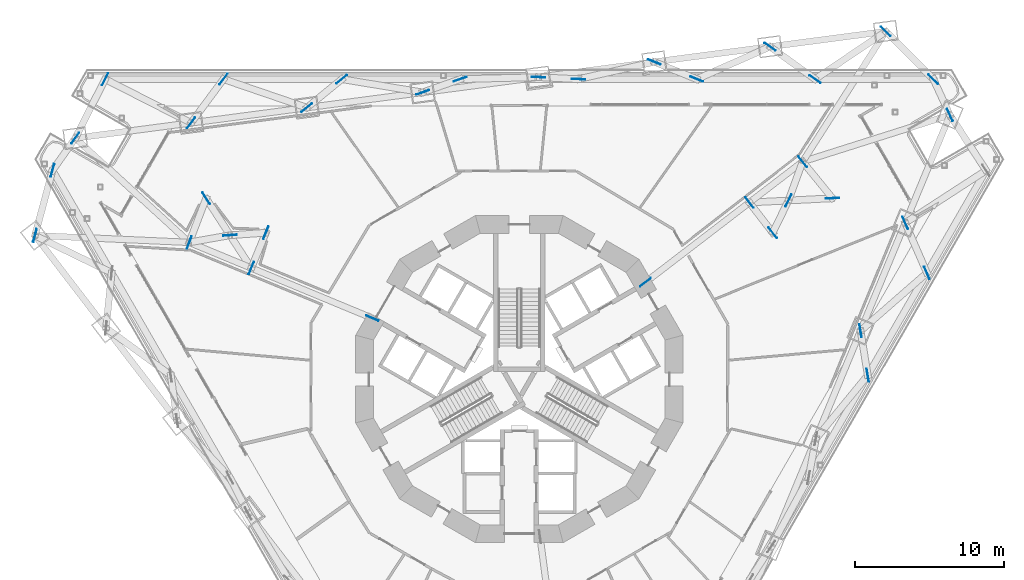
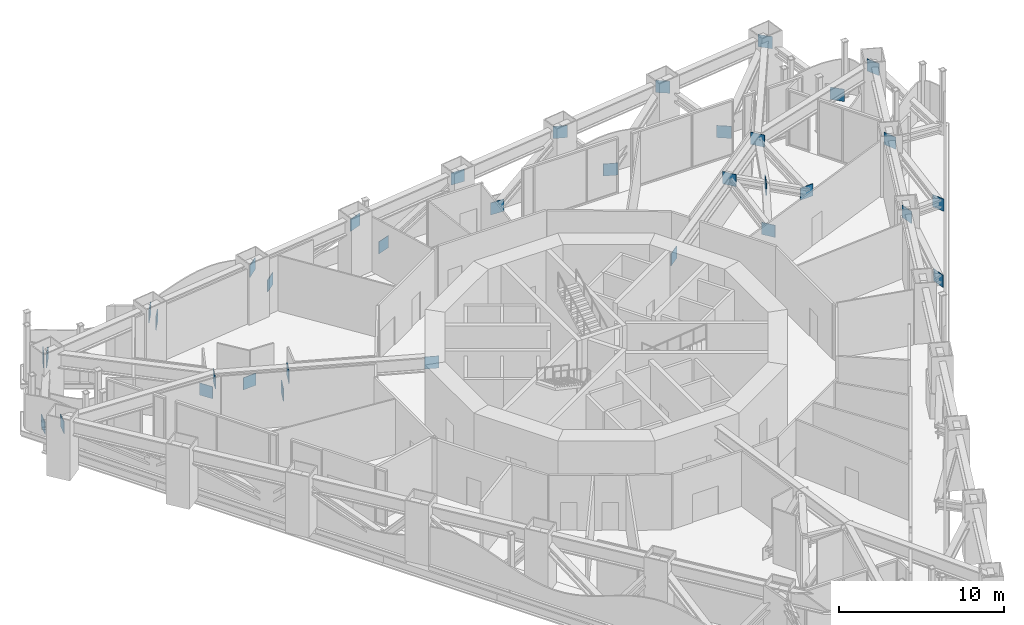
# One storey, part 18 of 28: 35 discrete accessories.
"""IFC4 building model written with IfcOpenShell, lengths in metres."""

from ifc_helpers import new_model, si_unit, direction, frame, origin, origin_2d, place, context, subcontext, project, spatial, rectangle, extrude, material, element, save


model = new_model("IFC4")

# Units and contexts
model_context = context("Model", 3, precision=1e-05, world=origin(), true_north=direction((0.0, 1.0)))
body_context = subcontext(model_context, "Body", "Model", "MODEL_VIEW")
ifc_project = project(units=[si_unit("LENGTHUNIT", "METRE"), si_unit("AREAUNIT", "SQUARE_METRE"), si_unit("VOLUMEUNIT", "CUBIC_METRE"), si_unit("PLANEANGLEUNIT", "RADIAN"), si_unit("MASSUNIT", "GRAM", prefix="KILO")], contexts=[model_context])

# Site, building, storey
site_placement = place(None, origin())
site = spatial("IfcSite", under=ifc_project, at=site_placement, CompositionType="ELEMENT")
building_placement = place(site_placement, origin())
building = spatial("IfcBuilding", under=site, at=building_placement, Name="Trine Commons Tower", CompositionType="ELEMENT")
storey_placement = place(building_placement, frame((0.0, 0.0, 45.89990234375)))
storey = spatial("IfcBuildingStorey", under=building, at=storey_placement, Name="L10", CompositionType="ELEMENT", Elevation=45.89990234375)

# Discrete accessories
ifc_material = material(Name="Structural steel ASTM A572 Gr50", Category="steel")
for number, where, z_axis, x_axis, name in (
    (1, (48.583740234375, 76.54541015625, 0.07080078125), (0.0, 0.0, 1.0), (-0.260234887669, -0.965545339816, 0.0), "Gusset plate GP1-01"),
    (2, (52.128173828125, 82.6845703125, 0.07080078125), (0.0, 0.0, 1.0), (-0.452092250299, -0.891971186317, 0.0), "Gusset plate GP1-02"),
    (3, (58.9228515625, 74.6689453125, 0.07080078125), (0.0, 0.0, 1.0), (0.543364939672, -0.83949660055, 0.0), "Gusset plate GP1-05"),
    (4, (60.091552734375, 82.6845703125, 0.07080078125), (0.0, 0.0, 1.0), (-0.59553807841, -0.803327079814, 0.0), "Gusset plate GP1-06"),
    (5, (62.94189453125, 72.348388671875, 0.07080078125), (0.0, 0.0, 1.0), (-0.380473251157, -0.924791925329, 0.0), "Gusset plate GP1-08"),
    (6, (68.054931640625, 82.6845703125, 0.07080078125), (0.0, 0.0, 1.0), (-0.775076843614, -0.63186698481, 0.0), "Gusset plate GP1-10"),
    (7, (76.018310546875, 82.6845703125, 0.07080078125), (0.0, 0.0, 1.0), (-0.942821960002, -0.333296792272, 0.0), "Gusset plate GP1-13"),
    (8, (83.981689453125, 82.6845703125, 0.07080078125), (0.0, 0.0, 1.0), (-0.998758784752, 0.049808532204, 0.0), "Gusset plate GP1-18"),
    (9, (91.945068359375, 82.6845703125, 0.07080078125), (0.0, 0.0, 1.0), (-0.926764836643, 0.375642033806, 0.0), "Gusset plate GP1-21"),
    (10, (97.05810546875, 72.348388671875, 0.07080078125), (0.0, 0.0, 1.0), (-0.610656674971, 0.791895463627, 0.0), "Gusset plate GP1-23"),
    (11, (99.908447265625, 82.6845703125, 0.07080078125), (0.0, 0.0, 1.0), (-0.811186314449, 0.58478779335, 0.0), "Gusset plate GP1-25"),
    (12, (101.0771484375, 74.6689453125, 0.07080078125), (0.0, 0.0, 1.0), (-0.998707852303, -0.050819541007, 0.0), "Gusset plate GP1-26"),
    (13, (103.452880859375, 62.75244140625, 0.07080078125), (0.0, 0.0, 1.0), (-0.159674438851, 0.98716972886, 0.0), "Gusset plate GP1-27"),
    (14, (107.4345703125, 69.64892578125, 0.07080078125), (0.0, 0.0, 1.0), (-0.397964643032, 0.917400753704, 0.0), "Gusset plate GP1-28"),
    (15, (107.871826171875, 82.6845703125, 0.07080078125), (0.0, 0.0, 1.0), (-0.706069348952, 0.70814269358, 0.0), "Gusset plate GP1-29"),
    (16, (60.53369140625, 72.179931640625, 1.704345703125), (0.0, 0.0, 1.0), (-0.997560396452, -0.06980870598, 0.0), "Gusset plate GP1-31"),
    (17, (98.1162109375, 74.518310546875, 1.704345703125), (0.0, 0.0, 1.0), (0.438324085442, 0.898816998127, 0.0), "Gusset plate GP1-33"),
    (18, (47.4033203125, 72.16552734375, 3.154052734375), (0.0, 0.0, 1.0), (-0.260234887669, -0.965545339816, 0.0), "Gusset plate GP1-34"),
    (19, (50.1162109375, 78.71484375, 3.154052734375), (0.0, 0.0, 1.0), (0.576945629635, 0.816782553955, 0.0), "Gusset plate GP1-35"),
    (20, (57.791259765625, 71.69921875, 3.154052734375), (0.0, 0.0, 1.0), (-0.356053095889, -0.934465725914, 0.0), "Gusset plate GP1-38"),
    (21, (57.9091796875, 79.740966796875, 3.154052734375), (0.0, 0.0, 1.0), (-0.59553807841, -0.803327079814, 0.0), "Gusset plate GP1-39"),
    (22, (61.963623046875, 69.970947265625, 3.154052734375), (0.0, 0.0, 1.0), (-0.380473251157, -0.924791925329, 0.0), "Gusset plate GP1-41"),
    (23, (65.70263671875, 80.766845703125, 3.154052734375), (0.0, 0.0, 1.0), (-0.775076843614, -0.63186698481, 0.0), "Gusset plate GP1-42"),
    (24, (70.1083984375, 66.59716796875, 3.154052734375), (0.0, 0.0, 1.0), (-0.923879532511, 0.382683432365, 0.0), "Gusset plate GP1-44"),
    (25, (73.495849609375, 81.79296875, 3.154052734375), (0.0, 0.0, 1.0), (-0.942821960002, -0.333296792272, 0.0), "Gusset plate GP1-46"),
    (26, (81.2890625, 82.81884765625, 3.154052734375), (0.0, 0.0, 1.0), (-0.998758784752, 0.049808532204, 0.0), "Gusset plate GP1-49"),
    (27, (88.494140625, 69.017578125, 3.154052734375), (0.0, 0.0, 1.0), (0.793353340291, 0.608761429009, 0.0), "Gusset plate GP1-54"),
    (28, (89.08251953125, 83.844970703125, 3.154052734375), (0.0, 0.0, 1.0), (-0.926764836643, 0.375642033806, 0.0), "Gusset plate GP1-55"),
    (29, (95.48828125, 74.384521484375, 3.154052734375), (0.0, 0.0, 1.0), (-0.610656674971, 0.791895463627, 0.0), "Gusset plate GP1-58"),
    (30, (96.875732421875, 84.870849609375, 3.154052734375), (0.0, 0.0, 1.0), (-0.811186314449, 0.58478779335, 0.0), "Gusset plate GP1-59"),
    (31, (99.071044921875, 77.1337890625, 3.154052734375), (0.0, 0.0, 1.0), (-0.631244509663, 0.775583889093, 0.0), "Gusset plate GP1-61"),
    (32, (102.96826171875, 65.74853515625, 3.154052734375), (0.0, 0.0, 1.0), (-0.159674438851, 0.98716972886, 0.0), "Gusset plate GP1-63"),
    (33, (104.6689453125, 85.89697265625, 3.154052734375), (0.0, 0.0, 1.0), (-0.706069348952, 0.70814269358, 0.0), "Gusset plate GP1-64"),
    (34, (105.976318359375, 73.010498046875, 3.154052734375), (0.0, 0.0, 1.0), (-0.397964643032, 0.917400753704, 0.0), "Gusset plate GP1-65"),
    (35, (108.984375, 80.272705078125, 3.154052734375), (0.0, 0.0, 1.0), (0.418897474514, -0.908033537842, 0.0), "Gusset plate GP1-66"),
):
    element("IfcDiscreteAccessory", number, at=place(storey_placement, frame(where, z_axis=z_axis, x_axis=x_axis)), inside=storey, material=ifc_material, Name=name, PredefinedType="BRACKET", context=body_context, shape_type="SweptSolid", body=[
        extrude(rectangle(XDim=0.89990234375, YDim=0.0400390625, at=origin_2d()), origin(), (0.0, 0.0, 1.0), 0.89990234375),
    ])

save(model, "model.ifc")
